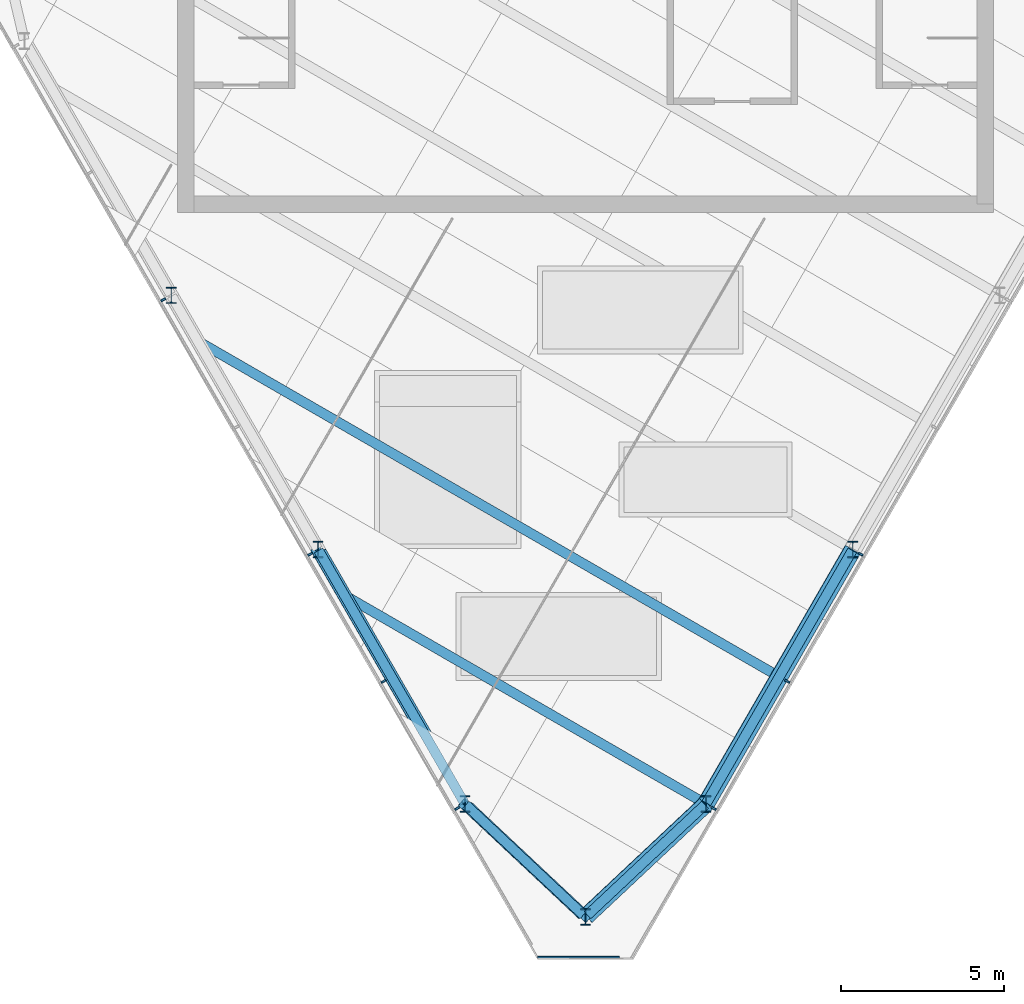
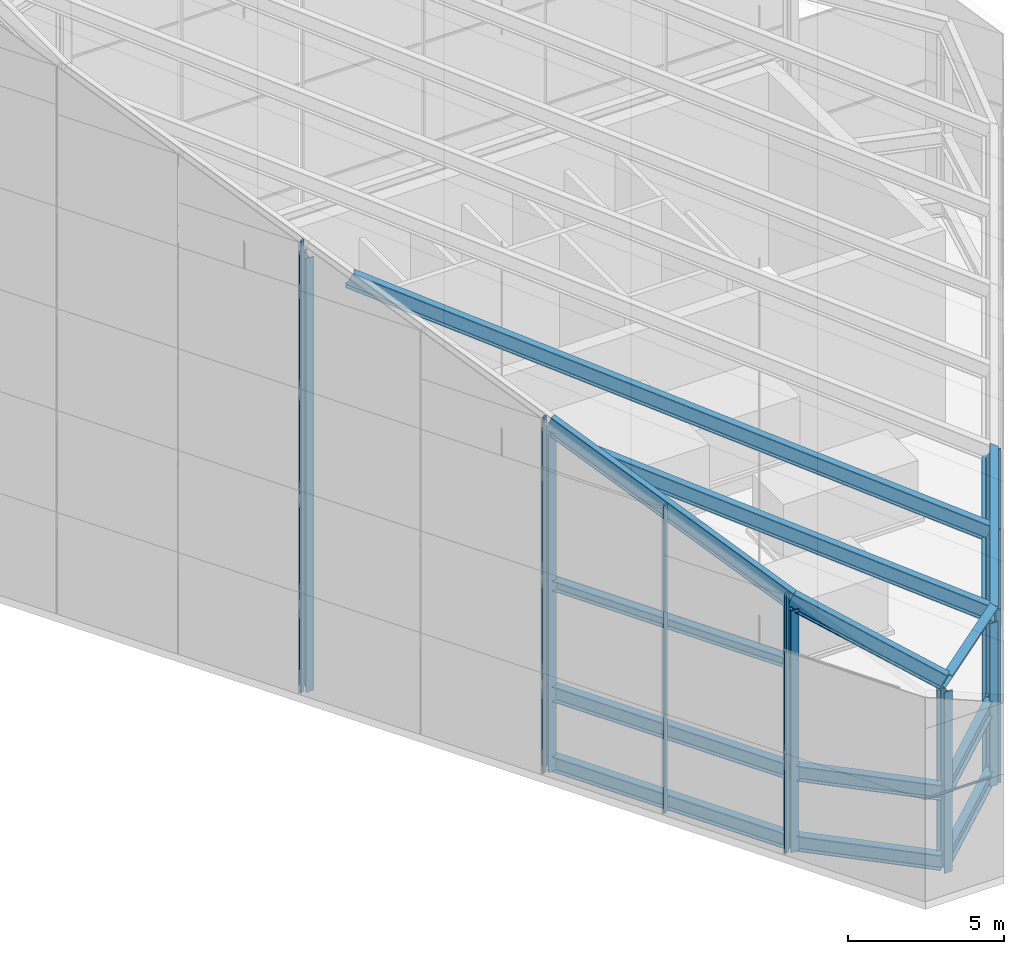
# One storey, part 1 of 16: 22 members, 7 beams, 3 elements without a shape of their own.
"""IFC4 building model written with IfcOpenShell, lengths in metres."""

import ifcopenshell
import ifcopenshell.guid

model = None  # the IFC model being written
_history = None  # IfcOwnerHistory: only IFC2X3 demands one
_inside = {}  # id of a spatial element -> (the spatial element, [elements in it])
_under = {}  # id of a project, library or spatial element -> (it, [spatial elements below it])
_declared = {}  # id of a project -> (the project, [libraries it declares])
_typed = {}  # id of a type object -> (the type object, [elements of that type])
_made_of = {}  # id of a material, layer set ... -> (it, [elements and type objects made of it])


def new_model(schema):
    """Start an empty IFC model of exactly this schema.

    Asked for "IFC4X3", IfcOpenShell would pick the latest addendum, in which some entities
    have other attributes; the version numbers below select the first issue.
    IFC2X3 requires an IfcOwnerHistory on every rooted entity: one is made here for all.
    """
    global model, _history
    if schema == "IFC4X3":
        model = ifcopenshell.file(schema_version=(4, 3, 0, 0))
    else:
        model = ifcopenshell.file(schema=schema)
    _inside.clear()
    _under.clear()
    _declared.clear()
    _typed.clear()
    _made_of.clear()
    _history = None
    if model.schema == "IFC2X3":
        org = make("IfcOrganization", Name="unknown")
        user = make(
            "IfcPersonAndOrganization",
            ThePerson=make("IfcPerson", FamilyName="unknown"),
            TheOrganization=org,
        )
        app = make(
            "IfcApplication",
            ApplicationDeveloper=org,
            Version="unknown",
            ApplicationFullName="unknown",
            ApplicationIdentifier="unknown",
        )
        _history = make(
            "IfcOwnerHistory",
            OwningUser=user,
            OwningApplication=app,
            ChangeAction="ADDED",
            CreationDate=0,
        )
    return model


def make(cls, **values):
    """One entity of the class cls with the attributes given. An attribute that is None is left unset."""
    return model.create_entity(
        cls, **{name: value for name, value in values.items() if value is not None}
    )


def rooted(cls, **values):
    """An entity with a GlobalId (a new one), such as an element, a storey or a relation."""
    return make(cls, GlobalId=ifcopenshell.guid.new(), OwnerHistory=_history, **values)


def si_unit(unit_type, name, prefix=None):
    """IfcSIUnit, for example si_unit("LENGTHUNIT", "METRE", prefix="MILLI")."""
    return make("IfcSIUnit", UnitType=unit_type, Prefix=prefix, Name=name)


def assignment(units):
    """IfcUnitAssignment: the units of a project."""
    return None if units is None else make("IfcUnitAssignment", Units=units)


def point(xyz):
    """IfcCartesianPoint."""
    return None if xyz is None else make("IfcCartesianPoint", Coordinates=xyz)


def direction(xyz):
    """IfcDirection."""
    return None if xyz is None else make("IfcDirection", DirectionRatios=xyz)


def frame(location, z_axis=None, x_axis=None):
    """IfcAxis2Placement3D, a coordinate frame: its origin and axes. An axis left out is left unset."""
    return make(
        "IfcAxis2Placement3D",
        Location=point(location),
        Axis=direction(z_axis),
        RefDirection=direction(x_axis),
    )


def frame_2d(location, x_axis=None):
    """IfcAxis2Placement2D, a coordinate frame in the plane: its origin and x axis."""
    return make(
        "IfcAxis2Placement2D", Location=point(location), RefDirection=direction(x_axis)
    )


def origin():
    """The frame at (0, 0, 0) with its axes left unset."""
    return frame((0.0, 0.0, 0.0))


def origin_2d():
    """The frame at (0, 0) in the plane with its x axis left unset."""
    return frame_2d((0.0, 0.0))


def place(relative_to, where):
    """IfcLocalPlacement: puts the frame where relative to a parent placement (None: the world)."""
    return make(
        "IfcLocalPlacement", PlacementRelTo=relative_to, RelativePlacement=where
    )


def context(
    kind, dimensions, precision=None, world=None, true_north=None, identifier=None
):
    """IfcGeometricRepresentationContext, for example the 3D "Model" context."""
    return make(
        "IfcGeometricRepresentationContext",
        ContextIdentifier=identifier,
        ContextType=kind,
        CoordinateSpaceDimension=dimensions,
        Precision=precision,
        WorldCoordinateSystem=world,
        TrueNorth=true_north,
    )


def subcontext(parent, identifier, kind, view, scale=None):
    """IfcGeometricRepresentationSubContext, for example "Body" below "Model"."""
    return make(
        "IfcGeometricRepresentationSubContext",
        ContextIdentifier=identifier,
        ContextType=kind,
        ParentContext=parent,
        TargetScale=scale,
        TargetView=view,
    )


def project(units=None, contexts=None):
    """IfcProject with its units and contexts."""
    return rooted(
        "IfcProject",
        Name="project",
        RepresentationContexts=contexts,
        UnitsInContext=assignment(units),
    )


def spatial(cls, under=None, at=None, **own):
    """A site, building, storey or space (cls), placed at a placement, below another one or the project."""
    s = rooted(cls, ObjectPlacement=at, **own)
    if under is not None:
        _under.setdefault(under.id(), (under, []))[1].append(s)
    return s


def profile(cls, at=None, kind="AREA", **sizes):
    """A parametric profile (cls). Its sizes go by their IFC names, for example OverallWidth=200.0."""
    return make(cls, ProfileType=kind, Position=at, **sizes)


def rectangle(**sizes):
    """IfcRectangleProfileDef."""
    return profile("IfcRectangleProfileDef", **sizes)


def i_section(**sizes):
    """IfcIShapeProfileDef."""
    return profile("IfcIShapeProfileDef", **sizes)


def extrude(swept, where, along, depth):
    """IfcExtrudedAreaSolid: the profile swept, set in the frame where, extruded along a direction by depth."""
    return make(
        "IfcExtrudedAreaSolid",
        SweptArea=swept,
        Position=where,
        ExtrudedDirection=direction(along),
        Depth=depth,
    )


def shape(context_of_items, identifier, shape_type, items):
    """IfcShapeRepresentation: the items that make up one representation, for example the "Body"."""
    return make(
        "IfcShapeRepresentation",
        ContextOfItems=context_of_items,
        RepresentationIdentifier=identifier,
        RepresentationType=shape_type,
        Items=items,
    )


def material(Name=None, Category=None):
    """IfcMaterial."""
    return make("IfcMaterial", Name=Name, Category=Category)


def layer(
    of_material, thickness, ventilated=None, Name=None, Category=None, Priority=None
):
    """IfcMaterialLayer: one layer of a wall or slab, of a material (None: an air gap)."""
    return make(
        "IfcMaterialLayer",
        Material=of_material,
        LayerThickness=thickness,
        IsVentilated=ventilated,
        Name=Name,
        Category=Category,
        Priority=Priority,
    )


def layer_set(layers, Name=None):
    """IfcMaterialLayerSet."""
    return make("IfcMaterialLayerSet", MaterialLayers=layers, LayerSetName=Name)


def material_profile(
    of_material, cross_section, Name=None, Category=None, Priority=None
):
    """IfcMaterialProfile: a cross section and its material."""
    return make(
        "IfcMaterialProfile",
        Name=Name,
        Material=of_material,
        Profile=cross_section,
        Priority=Priority,
        Category=Category,
    )


def profile_set(profiles, Name=None, composite=None):
    """IfcMaterialProfileSet."""
    return make(
        "IfcMaterialProfileSet",
        Name=Name,
        MaterialProfiles=profiles,
        CompositeProfile=composite,
    )


def made_of(thing, what):
    """Note that an element or type object is made of a material, layer set ...; save() writes the relation."""
    if what is not None:
        _made_of.setdefault(what.id(), (what, []))[1].append(thing)
    return thing


def type_object(cls, material=None, **own):
    """A type object (cls), such as IfcWallType, which elements share."""
    return made_of(rooted(cls, **own), material)


def element(
    cls,
    number,
    at=None,
    inside=None,
    cuts=None,
    type_object=None,
    material=None,
    context=None,
    identifier="Body",
    shape_type=None,
    held_by="IfcProductDefinitionShape",
    body=None,
    shapes=None,
    **own,
):
    """One element of the class cls, such as IfcWall. Its Tag is "e" and its number.

    at: its placement. inside: the storey or other place that contains it. cuts: it is an
    opening in that element (IfcRelVoidsElement). A single representation is given by context,
    identifier, shape_type and body (its items); several are given by shapes. held_by: the class
    of the entity that holds the representations. save() writes the other relations.
    """
    e = rooted(cls, Tag="e%d" % number, ObjectPlacement=at, **own)
    if body is not None:
        shapes = [shape(context, identifier, shape_type, body)]
    if shapes is not None:
        e.Representation = make(held_by, Representations=shapes)
    if inside is not None:
        _inside.setdefault(inside.id(), (inside, []))[1].append(e)
    if cuts is not None:
        rooted(
            "IfcRelVoidsElement", RelatingBuildingElement=cuts, RelatedOpeningElement=e
        )
    if type_object is not None:
        _typed.setdefault(type_object.id(), (type_object, []))[1].append(e)
    return made_of(e, material)


def aggregate(whole, parts):
    """IfcRelAggregates: a whole, such as a stair, and the parts it consists of."""
    return rooted("IfcRelAggregates", RelatingObject=whole, RelatedObjects=parts)


def save(model, path):
    """Write the relations noted so far, then the file.

    IfcRelAggregates (storeys below a building ...), IfcRelContainedInSpatialStructure (elements
    in a storey), IfcRelDefinesByType, IfcRelAssociatesMaterial and IfcRelDeclares: one each for
    every whole, place, type object, material and project.
    """
    for whole, parts in _under.values():
        aggregate(whole, parts)
    for where, things in _inside.values():
        rooted(
            "IfcRelContainedInSpatialStructure",
            RelatedElements=things,
            RelatingStructure=where,
        )
    for kind, things in _typed.values():
        rooted("IfcRelDefinesByType", RelatedObjects=things, RelatingType=kind)
    for what, things in _made_of.values():
        rooted("IfcRelAssociatesMaterial", RelatedObjects=things, RelatingMaterial=what)
    for by, libraries in _declared.values():
        rooted("IfcRelDeclares", RelatingContext=by, RelatedDefinitions=libraries)
    model.write(path)


model = new_model("IFC4")

# Units and contexts
model_context = context("Model", 3, precision=1e-05, world=origin(), true_north=direction((0.0, 1.0)))
body_context = subcontext(model_context, "Body", "Model", "MODEL_VIEW")
ifc_project = project(units=[si_unit("LENGTHUNIT", "METRE"), si_unit("AREAUNIT", "SQUARE_METRE"), si_unit("VOLUMEUNIT", "CUBIC_METRE"), si_unit("PLANEANGLEUNIT", "RADIAN"), si_unit("MASSUNIT", "GRAM", prefix="KILO")], contexts=[model_context])

# Site, building, storey
site_placement = place(None, origin())
site = spatial("IfcSite", under=ifc_project, at=site_placement, CompositionType="ELEMENT")
building_placement = place(site_placement, origin())
building = spatial("IfcBuilding", under=site, at=building_placement, Name="Altiplano Prism Tower", CompositionType="ELEMENT")
storey_placement = place(building_placement, frame((0.0, 0.0, 358.0)))
storey = spatial("IfcBuildingStorey", under=building, at=storey_placement, Name="Crown", CompositionType="ELEMENT", Elevation=358.0)

# Curtain wall, members
ifc_material_1 = material(Name="Aluminium and glass", Category="aluminium")
ifc_layer = layer(ifc_material_1, 0.25)
ifc_layer_set = layer_set([ifc_layer], Name="Aluminium and glass")
curtain_wall_type = type_object("IfcCurtainWallType", Name="CW5 crown glazing", PredefinedType="NOTDEFINED", material=ifc_layer_set)
curtain_wall_1_placement = place(storey_placement, origin())
curtain_wall_1 = element("IfcCurtainWall", 1, at=curtain_wall_1_placement, inside=storey, type_object=curtain_wall_type, Name="CW5 crown glazing face 2", PredefinedType="NOTDEFINED")
ifc_material_2 = material(Name="Aluminium", Category="aluminium")
ifc_material_profile_1 = material_profile(ifc_material_2, rectangle(XDim=0.159912109375, YDim=0.06005859375, at=origin_2d()), Name="CW5 mullion 60 x 160")
ifc_profile_set_1 = profile_set([ifc_material_profile_1], Name="Aluminium")
member_type_1 = type_object("IfcMemberType", Name="CW5 mullion 60 x 160", PredefinedType="MULLION", material=ifc_profile_set_1)
member_1_placement = place(storey_placement, frame((72.065185546875, 90.220703125, 0.0), z_axis=(0.0, 0.0, 1.0), x_axis=(0.866025407336, 0.499999993848, 0.0)))
member_1 = element("IfcMember", 2, at=member_1_placement, type_object=member_type_1, Name="CW5 mullion", PredefinedType="MULLION", context=body_context, shape_type="SweptSolid", body=[
    extrude(rectangle(XDim=0.159912109375, YDim=0.06005859375, at=origin_2d()), origin(), (0.0, 0.0, 1.0), 17.7333984375),
])
member_2_placement = place(storey_placement, frame((76.565185546875, 82.426513671875, 0.0), z_axis=(0.0, 0.0, 1.0), x_axis=(0.866025407336, 0.499999993848, 0.0)))
member_2 = element("IfcMember", 3, at=member_2_placement, type_object=member_type_1, Name="CW5 mullion", PredefinedType="MULLION", context=body_context, shape_type="SweptSolid", body=[
    extrude(rectangle(XDim=0.159912109375, YDim=0.06005859375, at=origin_2d()), origin(), (0.0, 0.0, 1.0), 13.968994140625),
])
member_3_placement = place(storey_placement, frame((78.815185546875, 78.529296875, 0.0), z_axis=(0.0, 0.0, 1.0), x_axis=(0.866025407336, 0.499999993848, 0.0)))
member_3 = element("IfcMember", 4, at=member_3_placement, type_object=member_type_1, Name="CW5 mullion", PredefinedType="MULLION", context=body_context, shape_type="SweptSolid", body=[
    extrude(rectangle(XDim=0.159912109375, YDim=0.06005859375, at=origin_2d()), origin(), (0.0, 0.0, 1.0), 12.0869140625),
])
member_4_placement = place(storey_placement, frame((81.065185546875, 74.63232421875, 0.0), z_axis=(0.0, 0.0, 1.0), x_axis=(0.866025407336, 0.499999993848, 0.0)))
member_4 = element("IfcMember", 5, at=member_4_placement, type_object=member_type_1, Name="CW5 mullion", PredefinedType="MULLION", context=body_context, shape_type="SweptSolid", body=[
    extrude(rectangle(XDim=0.159912109375, YDim=0.06005859375, at=origin_2d()), origin(), (0.0, 0.0, 1.0), 10.20458984375),
])
aggregate(curtain_wall_1, [member_1, member_2, member_3, member_4])

curtain_wall_2_placement = place(storey_placement, origin())
curtain_wall_2 = element("IfcCurtainWall", 6, at=curtain_wall_2_placement, inside=storey, type_object=curtain_wall_type, Name="CW5 crown glazing face 3", PredefinedType="NOTDEFINED")
member_5_placement = place(storey_placement, frame((88.934814453125, 74.63232421875, 0.0), z_axis=(0.0, 0.0, 1.0), x_axis=(-0.866025407336, 0.499999993848, 0.0)))
member_5 = element("IfcMember", 7, at=member_5_placement, type_object=member_type_1, Name="CW5 mullion", PredefinedType="MULLION", context=body_context, shape_type="SweptSolid", body=[
    extrude(rectangle(XDim=0.159912109375, YDim=0.06005859375, at=origin_2d()), origin(), (0.0, 0.0, 1.0), 6.7900390625),
])
member_6_placement = place(storey_placement, frame((91.184814453125, 78.529296875, 0.0), z_axis=(0.0, 0.0, 1.0), x_axis=(-0.866025407336, 0.499999993848, 0.0)))
member_6 = element("IfcMember", 8, at=member_6_placement, type_object=member_type_1, Name="CW5 mullion", PredefinedType="MULLION", context=body_context, shape_type="SweptSolid", body=[
    extrude(rectangle(XDim=0.159912109375, YDim=0.06005859375, at=origin_2d()), origin(), (0.0, 0.0, 1.0), 6.7900390625),
])
member_7_placement = place(storey_placement, frame((93.434814453125, 82.426513671875, 0.0), z_axis=(0.0, 0.0, 1.0), x_axis=(-0.866025407336, 0.499999993848, 0.0)))
member_7 = element("IfcMember", 9, at=member_7_placement, type_object=member_type_1, Name="CW5 mullion", PredefinedType="MULLION", context=body_context, shape_type="SweptSolid", body=[
    extrude(rectangle(XDim=0.159912109375, YDim=0.06005859375, at=origin_2d()), origin(), (0.0, 0.0, 1.0), 6.7900390625),
])
aggregate(curtain_wall_2, [member_5, member_6, member_7])

# Curtain wall, member
curtain_wall_3_placement = place(storey_placement, origin())
curtain_wall_3 = element("IfcCurtainWall", 10, at=curtain_wall_3_placement, inside=storey, type_object=curtain_wall_type, Name="CW5 crown glazing chamfer 2", PredefinedType="NOTDEFINED")
ifc_material_profile_2 = material_profile(ifc_material_2, rectangle(XDim=0.050048828125, YDim=0.06005859375, at=origin_2d()), Name="CW5 transom 60 x 50")
ifc_profile_set_2 = profile_set([ifc_material_profile_2], Name="Aluminium")
member_type_2 = type_object("IfcMemberType", Name="CW5 transom 60 x 50", PredefinedType="USERDEFINED", material=ifc_profile_set_2)
member_8_placement = place(storey_placement, frame((83.53857421875, 70.073486328125, 4.0), z_axis=(1.0, 0.0, 0.0), x_axis=(0.0, 1.0, 0.0)))
member_8 = element("IfcMember", 11, at=member_8_placement, type_object=member_type_2, Name="CW5 transom", ObjectType="TRANSOM", PredefinedType="USERDEFINED", context=body_context, shape_type="SweptSolid", body=[
    extrude(rectangle(XDim=0.050048828125, YDim=0.06005859375, at=origin_2d()), origin(), (0.0, 0.0, 1.0), 2.5),
])
aggregate(curtain_wall_3, [member_8])

# Members
ifc_material_3 = material(Name="Steel S355", Category="steel")
ifc_material_profile_3 = material_profile(ifc_material_3, i_section(OverallWidth=0.300048828125, OverallDepth=0.60009765625, WebThickness=0.015380859375, FlangeThickness=0.030029296875, FilletRadius=0.027099609375, at=origin_2d()), Name="Crown base chord HEB 600")
ifc_profile_set_3 = profile_set([ifc_material_profile_3], Name="Steel S355")
member_type_3 = type_object("IfcMemberType", Name="Crown base chord HEB 600", PredefinedType="CHORD", material=ifc_profile_set_3)
for number, where, z_axis, x_axis, name in (
    (12, (76.82275390625, 82.54052734375, 0.300048828125), (0.499989573202, -0.866031423615, 0.0), (0.866031423615, 0.499989573202, 0.0), "Crown base ring chord b8"),
    (13, (76.82275390625, 82.54052734375, 3.050048828125), (0.499989573202, -0.866031423615, 0.0), (0.866031423615, 0.499989573202, 0.0), "Crown base ring chord t8"),
):
    element("IfcMember", number, at=place(storey_placement, frame(where, z_axis=z_axis, x_axis=x_axis)), inside=storey, type_object=member_type_3, Name=name, PredefinedType="CHORD", context=body_context, shape_type="SweptSolid", body=[
        extrude(i_section(OverallWidth=0.300048828125, OverallDepth=0.60009765625, WebThickness=0.015380859375, FlangeThickness=0.030029296875, FilletRadius=0.027099609375, at=origin_2d()), origin(), (0.0, 0.0, 1.0), 8.940185546875),
    ])
for number, where, z_axis, x_axis, name in (
    (14, (81.33447265625, 74.7470703125, 0.300048828125), (0.729330657623, -0.684161378515, 0.0), (0.684161378515, 0.729330657623, 0.0), "Crown base ring chord b9"),
    (15, (81.33447265625, 74.7470703125, 3.050048828125), (0.729330657623, -0.684161378515, 0.0), (0.684161378515, 0.729330657623, 0.0), "Crown base ring chord t9"),
    (16, (85.0625, 71.3671875, 0.300048828125), (0.729330657623, 0.684161378515, 0.0), (-0.684161378515, 0.729330657623, 0.0), "Crown base ring chord b10"),
    (17, (85.0625, 71.3671875, 3.050048828125), (0.729330657623, 0.684161378515, 0.0), (-0.684161378515, 0.729330657623, 0.0), "Crown base ring chord t10"),
):
    element("IfcMember", number, at=place(storey_placement, frame(where, z_axis=z_axis, x_axis=x_axis)), inside=storey, type_object=member_type_3, Name=name, PredefinedType="CHORD", context=body_context, shape_type="SweptSolid", body=[
        extrude(i_section(OverallWidth=0.300048828125, OverallDepth=0.60009765625, WebThickness=0.015380859375, FlangeThickness=0.030029296875, FilletRadius=0.027099609375, at=origin_2d()), origin(), (0.0, 0.0, 1.0), 4.940185546875),
    ])
for number, where, z_axis, x_axis, name in (
    (18, (88.707275390625, 74.798095703125, 0.300048828125), (0.499989573202, 0.866031423615, 0.0), (-0.866031423615, 0.499989573202, 0.0), "Crown base ring chord b11"),
    (19, (88.707275390625, 74.798095703125, 3.050048828125), (0.499989573202, 0.866031423615, 0.0), (-0.866031423615, 0.499989573202, 0.0), "Crown base ring chord t11"),
):
    element("IfcMember", number, at=place(storey_placement, frame(where, z_axis=z_axis, x_axis=x_axis)), inside=storey, type_object=member_type_3, Name=name, PredefinedType="CHORD", context=body_context, shape_type="SweptSolid", body=[
        extrude(i_section(OverallWidth=0.300048828125, OverallDepth=0.60009765625, WebThickness=0.015380859375, FlangeThickness=0.030029296875, FilletRadius=0.027099609375, at=origin_2d()), origin(), (0.0, 0.0, 1.0), 8.940185546875),
    ])
ifc_material_profile_4 = material_profile(ifc_material_3, i_section(OverallWidth=0.300048828125, OverallDepth=0.5, WebThickness=0.014404296875, FlangeThickness=0.028076171875, FilletRadius=0.027099609375, at=origin_2d()), Name="Crown post HEB 500")
ifc_profile_set_4 = profile_set([ifc_material_profile_4], Name="Steel S355")
member_type_4 = type_object("IfcMemberType", Name="Crown post HEB 500", PredefinedType="POST", material=ifc_profile_set_4)
member_9_placement = place(storey_placement, frame((72.307861328125, 90.360595703125, 0.0), z_axis=(0.0, 0.0, 1.0), x_axis=(1.0, 0.0, 0.0)))
element("IfcMember", 20, at=member_9_placement, inside=storey, type_object=member_type_4, Name="Crown post P12", PredefinedType="POST", context=body_context, shape_type="SweptSolid", body=[
    extrude(i_section(OverallWidth=0.300048828125, OverallDepth=0.5, WebThickness=0.014404296875, FlangeThickness=0.028076171875, FilletRadius=0.027099609375, at=origin_2d()), origin(), (0.0, 0.0, 1.0), 17.028564453125),
])
member_10_placement = place(storey_placement, frame((76.807861328125, 82.56640625, 0.0), z_axis=(0.0, 0.0, 1.0), x_axis=(1.0, 0.0, 0.0)))
element("IfcMember", 21, at=member_10_placement, inside=storey, type_object=member_type_4, Name="Crown post P13", PredefinedType="POST", context=body_context, shape_type="SweptSolid", body=[
    extrude(i_section(OverallWidth=0.300048828125, OverallDepth=0.5, WebThickness=0.014404296875, FlangeThickness=0.028076171875, FilletRadius=0.027099609375, at=origin_2d()), origin(), (0.0, 0.0, 1.0), 13.26416015625),
])
member_11_placement = place(storey_placement, frame((81.307861328125, 74.772216796875, 0.0), z_axis=(0.0, 0.0, 1.0), x_axis=(1.0, 0.0, 0.0)))
element("IfcMember", 22, at=member_11_placement, inside=storey, type_object=member_type_4, Name="Crown post P14", PredefinedType="POST", context=body_context, shape_type="SweptSolid", body=[
    extrude(i_section(OverallWidth=0.300048828125, OverallDepth=0.5, WebThickness=0.014404296875, FlangeThickness=0.028076171875, FilletRadius=0.027099609375, at=origin_2d()), origin(), (0.0, 0.0, 1.0), 9.499755859375),
])
member_12_placement = place(storey_placement, frame((85.0, 71.30859375, 0.0), z_axis=(0.0, 0.0, 1.0), x_axis=(1.0, 0.0, 0.0)))
element("IfcMember", 23, at=member_12_placement, inside=storey, type_object=member_type_4, Name="Crown post M1", PredefinedType="POST", context=body_context, shape_type="SweptSolid", body=[
    extrude(i_section(OverallWidth=0.300048828125, OverallDepth=0.5, WebThickness=0.014404296875, FlangeThickness=0.028076171875, FilletRadius=0.027099609375, at=origin_2d()), origin(), (0.0, 0.0, 1.0), 7.118896484375),
])
for number, where, z_axis, x_axis, name in (
    (24, (88.692138671875, 74.772216796875, 0.0), (0.0, 0.0, 1.0), (1.0, 0.0, 0.0), "Crown post P21"),
    (25, (93.192138671875, 82.56640625, 0.0), (0.0, 0.0, 1.0), (1.0, 0.0, 0.0), "Crown post P22"),
):
    element("IfcMember", number, at=place(storey_placement, frame(where, z_axis=z_axis, x_axis=x_axis)), inside=storey, type_object=member_type_4, Name=name, PredefinedType="POST", context=body_context, shape_type="SweptSolid", body=[
        extrude(i_section(OverallWidth=0.300048828125, OverallDepth=0.5, WebThickness=0.014404296875, FlangeThickness=0.028076171875, FilletRadius=0.027099609375, at=origin_2d()), origin(), (0.0, 0.0, 1.0), 6.4111328125),
    ])

# Beams
ifc_material_profile_5 = material_profile(ifc_material_3, i_section(OverallWidth=0.300048828125, OverallDepth=0.60009765625, WebThickness=0.015380859375, FlangeThickness=0.030029296875, FilletRadius=0.027099609375, at=origin_2d()), Name="Crown rafter HEB 600")
ifc_profile_set_5 = profile_set([ifc_material_profile_5], Name="Steel S355")
beam_type_1 = type_object("IfcBeamType", Name="Crown rafter HEB 600", PredefinedType="BEAM", material=ifc_profile_set_5)
beam_1_placement = place(storey_placement, frame((76.807861328125, 82.56640625, 13.536865234375), z_axis=(0.461277408259, -0.798951891204, -0.385874368378), x_axis=(0.803346016143, 0.560704993202, -0.200611786655)))
element("IfcBeam", 26, at=beam_1_placement, inside=storey, type_object=beam_type_1, Name="Crown rafter ring 8", PredefinedType="BEAM", context=body_context, shape_type="SweptSolid", body=[
    extrude(i_section(OverallWidth=0.300048828125, OverallDepth=0.60009765625, WebThickness=0.015380859375, FlangeThickness=0.030029296875, FilletRadius=0.027099609375, at=origin_2d()), origin(), (0.0, 0.0, 1.0), 9.755615234375),
])
beam_2_placement = place(storey_placement, frame((81.307861328125, 74.772216796875, 9.7724609375), z_axis=(0.659973056201, -0.619125685931, -0.425580721026), x_axis=(0.650051640733, 0.754580316433, -0.089673911652)))
element("IfcBeam", 27, at=beam_2_placement, inside=storey, type_object=beam_type_1, Name="Crown rafter ring 9", PredefinedType="BEAM", context=body_context, shape_type="SweptSolid", body=[
    extrude(i_section(OverallWidth=0.300048828125, OverallDepth=0.60009765625, WebThickness=0.015380859375, FlangeThickness=0.030029296875, FilletRadius=0.027099609375, at=origin_2d()), origin(), (0.0, 0.0, 1.0), 5.594482421875),
])
beam_3_placement = place(storey_placement, frame((85.0, 71.30859375, 7.3916015625), z_axis=(0.722291389938, 0.67758698334, -0.138459481547), x_axis=(-0.580042071024, 0.702555162335, 0.41227107553)))
element("IfcBeam", 28, at=beam_3_placement, inside=storey, type_object=beam_type_1, Name="Crown rafter ring 10", PredefinedType="BEAM", context=body_context, shape_type="SweptSolid", body=[
    extrude(i_section(OverallWidth=0.300048828125, OverallDepth=0.60009765625, WebThickness=0.015380859375, FlangeThickness=0.030029296875, FilletRadius=0.027099609375, at=origin_2d()), origin(), (0.0, 0.0, 1.0), 5.11181640625),
])
beam_4_placement = place(storey_placement, frame((88.692138671875, 74.772216796875, 6.683837890625), z_axis=(0.5000018851, 0.866024315419, 0.0), x_axis=(-0.779833723479, 0.45023947349, 0.434906633931)))
element("IfcBeam", 29, at=beam_4_placement, inside=storey, type_object=beam_type_1, Name="Crown rafter ring 11", PredefinedType="BEAM", context=body_context, shape_type="SweptSolid", body=[
    extrude(i_section(OverallWidth=0.300048828125, OverallDepth=0.60009765625, WebThickness=0.015380859375, FlangeThickness=0.030029296875, FilletRadius=0.027099609375, at=origin_2d()), origin(), (0.0, 0.0, 1.0), 9.0),
])
beam_5_placement = place(storey_placement, frame((90.942138671875, 78.66943359375, 6.683837890625), z_axis=(-0.779836249873, 0.450239075103, 0.434902516243), x_axis=(-0.500000338417, -0.866025208399, 0.0)))
element("IfcBeam", 30, at=beam_5_placement, inside=storey, type_object=beam_type_1, Name="Crown rafter 7", PredefinedType="BEAM", context=body_context, shape_type="SweptSolid", body=[
    extrude(i_section(OverallWidth=0.300048828125, OverallDepth=0.60009765625, WebThickness=0.015380859375, FlangeThickness=0.030029296875, FilletRadius=0.027099609375, at=origin_2d()), origin(), (0.0, 0.0, 1.0), 22.859375),
])
beam_6_placement = place(storey_placement, frame((88.692138671875, 74.772216796875, 6.683837890625), z_axis=(-0.779839521222, 0.450233996449, 0.434901908), x_axis=(-0.499994535347, -0.86602855878, 0.0)))
element("IfcBeam", 31, at=beam_6_placement, inside=storey, type_object=beam_type_1, Name="Crown rafter 8", PredefinedType="BEAM", context=body_context, shape_type="SweptSolid", body=[
    extrude(i_section(OverallWidth=0.300048828125, OverallDepth=0.60009765625, WebThickness=0.015380859375, FlangeThickness=0.030029296875, FilletRadius=0.027099609375, at=origin_2d()), origin(), (0.0, 0.0, 1.0), 14.203857421875),
])
ifc_material_profile_6 = material_profile(ifc_material_3, i_section(OverallWidth=0.300048828125, OverallDepth=0.39990234375, WebThickness=0.013427734375, FlangeThickness=0.02392578125, FilletRadius=0.027099609375, at=origin_2d()), Name="Crown ring beam HEB 400")
ifc_profile_set_6 = profile_set([ifc_material_profile_6], Name="Steel S355")
beam_type_2 = type_object("IfcBeamType", Name="Crown ring beam HEB 400", PredefinedType="BEAM", material=ifc_profile_set_6)
beam_7_placement = place(storey_placement, frame((76.82275390625, 82.54052734375, 7.300048828125), z_axis=(0.499989573202, -0.866031423615, 0.0), x_axis=(0.866031423615, 0.499989573202, 0.0)))
element("IfcBeam", 32, at=beam_7_placement, inside=storey, type_object=beam_type_2, Name="Crown ring beam 2.8", PredefinedType="BEAM", context=body_context, shape_type="SweptSolid", body=[
    extrude(i_section(OverallWidth=0.300048828125, OverallDepth=0.39990234375, WebThickness=0.013427734375, FlangeThickness=0.02392578125, FilletRadius=0.027099609375, at=origin_2d()), origin(), (0.0, 0.0, 1.0), 8.940185546875),
])

save(model, "model.ifc")
